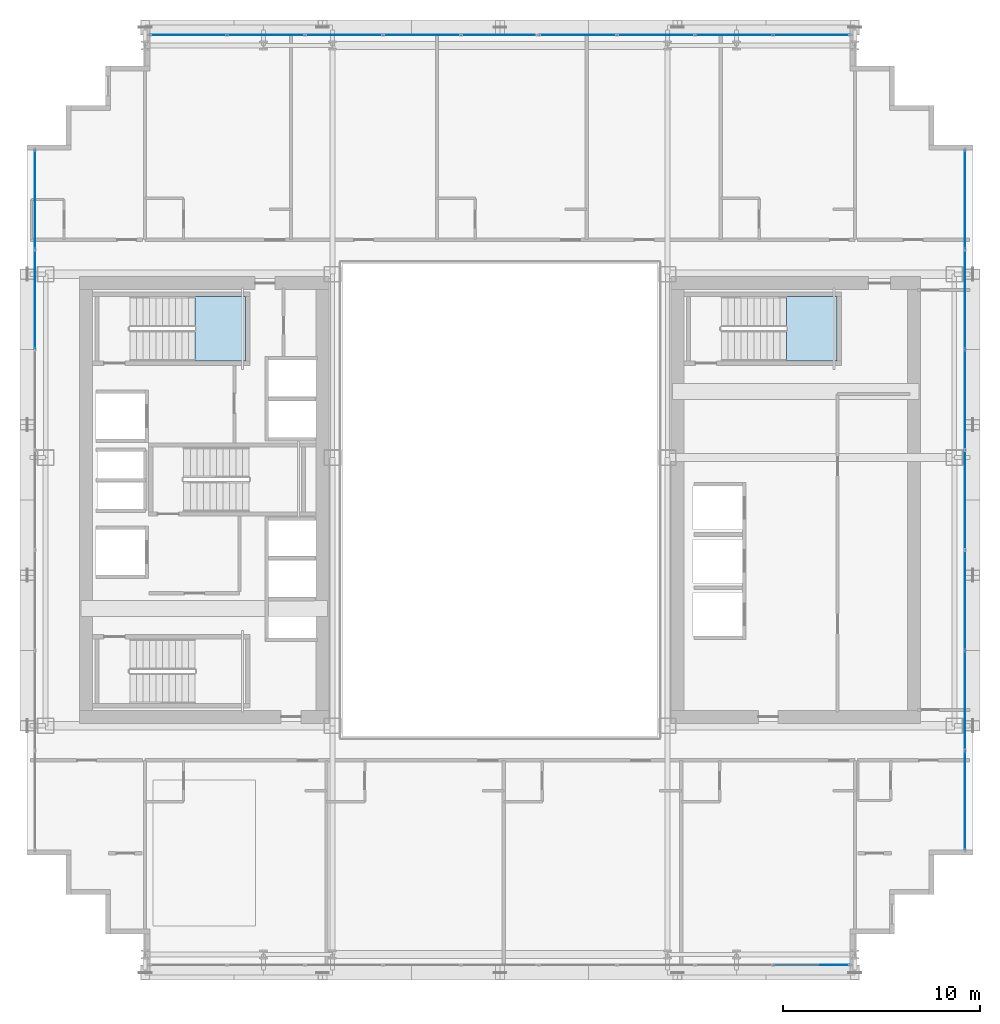
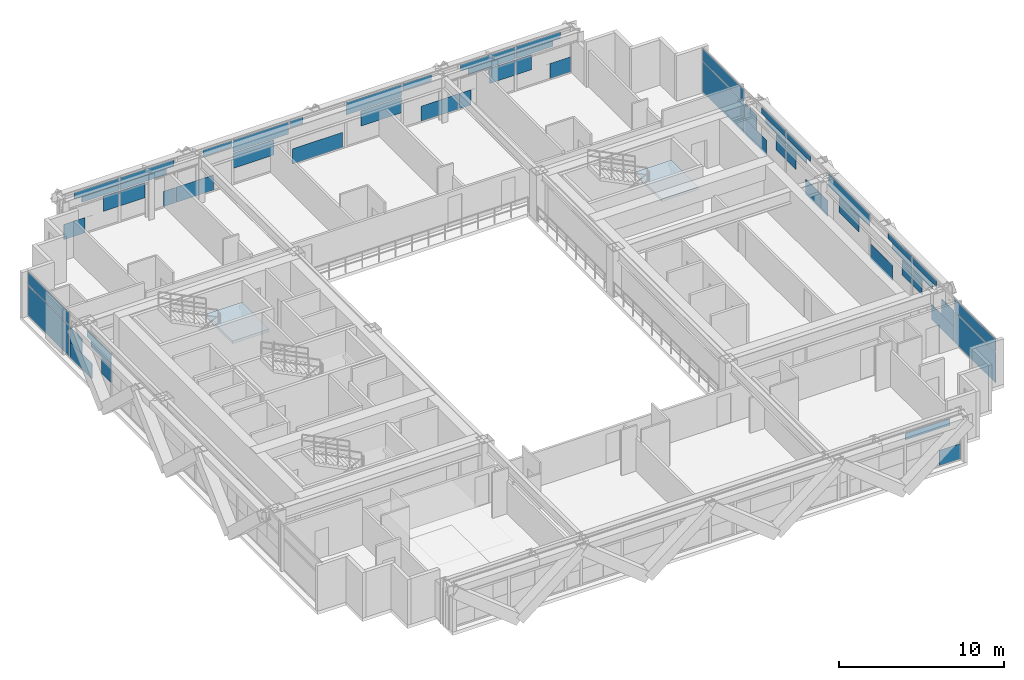
# One storey, part 24 of 34: 59 plates, 2 slabs, 6 elements without a shape of their own.
"""IFC4 building model written with IfcOpenShell, lengths in metres."""

from ifc_helpers import new_model, si_unit, direction, frame, origin, origin_2d, place, context, subcontext, project, spatial, polyline, rectangle, outline, extrude, source, transform, mapped, material, layer, layer_set, type_object, element, aggregate, save


model = new_model("IFC4")

# Units and contexts
model_context = context("Model", 3, precision=1e-05, world=origin(), true_north=direction((0.0, 1.0)))
body_context = subcontext(model_context, "Body", "Model", "MODEL_VIEW")
ifc_project = project(units=[si_unit("LENGTHUNIT", "METRE"), si_unit("AREAUNIT", "SQUARE_METRE"), si_unit("VOLUMEUNIT", "CUBIC_METRE"), si_unit("PLANEANGLEUNIT", "RADIAN"), si_unit("MASSUNIT", "GRAM", prefix="KILO")], contexts=[model_context])

# Site, building, storey
site_placement = place(None, origin())
site = spatial("IfcSite", under=ifc_project, at=site_placement, CompositionType="ELEMENT")
building_placement = place(site_placement, origin())
building = spatial("IfcBuilding", under=site, at=building_placement, Name="Ocotamira Hotel", CompositionType="ELEMENT")
storey_placement = place(building_placement, frame((0.0, 0.0, 108.0)))
storey = spatial("IfcBuildingStorey", under=building, at=storey_placement, Name="L26", CompositionType="ELEMENT", Elevation=108.0)

# Stair, slab
ifc_material_1 = material(Name="Concrete C40/50", Category="concrete")
stair_type = type_object("IfcStairType", Name="ST-CORE-1560", PredefinedType="HALF_TURN_STAIR", material=ifc_material_1)
stair_1_placement = place(storey_placement, origin())
stair_1 = element("IfcStair", 1, at=stair_1_placement, inside=storey, type_object=stair_type, Name="L26 Exit Stair ST-2", PredefinedType="HALF_TURN_STAIR")
ifc_layer_1 = layer(ifc_material_1, 0.199951171875)
ifc_layer_set_1 = layer_set([ifc_layer_1], Name="Concrete C40/50")
slab_type = type_object("IfcSlabType", Name="SLB-LAND-200", PredefinedType="LANDING", material=ifc_layer_set_1)
slab_1_placement = place(storey_placement, frame((0.0, 0.0, 1.60009765625)))
slab_1 = element("IfcSlab", 2, at=slab_1_placement, type_object=slab_type, Name="ST-2 landing 1", PredefinedType="LANDING", context=body_context, shape_type="SweptSolid", body=[
    extrude(outline(polyline([(16.530029296875, 33.050048828125), (19.090087890625, 33.050048828125), (19.090087890625, 36.330078125), (16.530029296875, 36.330078125), (16.530029296875, 33.050048828125)])), origin(), (0.0, 0.0, 1.0), 0.199951171875),
])
aggregate(stair_1, [slab_1])

stair_2_placement = place(storey_placement, origin())
stair_2 = element("IfcStair", 3, at=stair_2_placement, inside=storey, type_object=stair_type, Name="L26 Exit Stair ST-4", PredefinedType="HALF_TURN_STAIR")
slab_2_placement = place(storey_placement, frame((0.0, 0.0, 1.60009765625)))
slab_2 = element("IfcSlab", 4, at=slab_2_placement, type_object=slab_type, Name="ST-4 landing 1", PredefinedType="LANDING", context=body_context, shape_type="SweptSolid", body=[
    extrude(outline(polyline([(46.530029296875, 33.050048828125), (49.090087890625, 33.050048828125), (49.090087890625, 36.330078125), (46.530029296875, 36.330078125), (46.530029296875, 33.050048828125)])), origin(), (0.0, 0.0, 1.0), 0.199951171875),
])
aggregate(stair_2, [slab_2])

# Curtain wall, plate
ifc_material_2 = material(Name="Anodised pale-metal aluminium and solar glass", Category="aluminium")
ifc_layer_2 = layer(ifc_material_2, 0.179931640625)
ifc_layer_set_2 = layer_set([ifc_layer_2], Name="Anodised pale-metal aluminium and solar glass")
curtain_wall_type = type_object("IfcCurtainWallType", Name="CW-SYS3-Z2", PredefinedType="NOTDEFINED", material=ifc_layer_set_2)
curtain_wall_1_placement = place(storey_placement, origin())
curtain_wall_1 = element("IfcCurtainWall", 5, at=curtain_wall_1_placement, inside=storey, type_object=curtain_wall_type, Name="L26 Curtain Wall CW-3 CW-L26-W", PredefinedType="NOTDEFINED")
ifc_material_3 = material(Name="Double-silver low-E insulated solar glass", Category="glass")
ifc_layer_3 = layer(ifc_material_3, 0.031982421875)
ifc_layer_set_3 = layer_set([ifc_layer_3], Name="Double-silver low-E insulated solar glass")
plate_type = type_object("IfcPlateType", Name="CWP-VISION-32", PredefinedType="CURTAIN_PANEL", material=ifc_layer_set_3)
shared_shape_1 = source(origin(), body_context, "Body", "SweptSolid", [
    extrude(rectangle(XDim=4.9658203125, YDim=0.031982421875, at=origin_2d()), origin(), (0.0, 0.0, 1.0), 2.237548828125),
])
plate_1_placement = place(storey_placement, frame((8.419921875, 41.237060546875, 0.0751953125), z_axis=(0.0, 0.0, 1.0), x_axis=(0.0, 1.0, 0.0)))
plate_1 = element("IfcPlate", 6, at=plate_1_placement, type_object=plate_type, Name="CW-3 panel 7.1", PredefinedType="CURTAIN_PANEL", context=body_context, shape_type="MappedRepresentation", body=[
    mapped(shared_shape_1, transform((0.0, 0.0, 0.0), scale=1.0)),
])

# Curtain wall, plates
curtain_wall_2_placement = place(storey_placement, origin())
curtain_wall_2 = element("IfcCurtainWall", 7, at=curtain_wall_2_placement, inside=storey, type_object=curtain_wall_type, Name="L26 Curtain Wall CW-3 CW-L26-E", PredefinedType="NOTDEFINED")
plate_2_placement = place(storey_placement, frame((55.580078125, 10.762939453125, 0.0751953125), z_axis=(0.0, 0.0, 1.0), x_axis=(0.0, 1.0, 0.0)))
plate_2 = element("IfcPlate", 8, at=plate_2_placement, type_object=plate_type, Name="CW-3 panel 1.1", PredefinedType="CURTAIN_PANEL", context=body_context, shape_type="MappedRepresentation", body=[
    mapped(shared_shape_1, transform((0.0, 0.0, 0.0), scale=1.0)),
])
plate_3_placement = place(storey_placement, frame((55.580078125, 41.237060546875, 0.0751953125), z_axis=(0.0, 0.0, 1.0), x_axis=(0.0, 1.0, 0.0)))
plate_3 = element("IfcPlate", 9, at=plate_3_placement, type_object=plate_type, Name="CW-3 panel 7.1", PredefinedType="CURTAIN_PANEL", context=body_context, shape_type="MappedRepresentation", body=[
    mapped(shared_shape_1, transform((0.0, 0.0, 0.0), scale=1.0)),
])

curtain_wall_3_placement = place(storey_placement, origin())
curtain_wall_3 = element("IfcCurtainWall", 10, at=curtain_wall_3_placement, inside=storey, type_object=curtain_wall_type, Name="L26 Curtain Wall CW-3 CW-L26-N", PredefinedType="NOTDEFINED")
shared_shape_2 = source(origin(), body_context, "Body", "SweptSolid", [
    extrude(rectangle(XDim=3.87548828125, YDim=0.031982421875, at=origin_2d()), origin(), (0.0, 0.0, 1.0), 0.8974609375),
])
plate_4_placement = place(storey_placement, frame((28.04443359375, 49.580078125, 2.387451171875), z_axis=(0.0, 0.0, 1.0), x_axis=(1.0, 0.0, 0.0)))
plate_4 = element("IfcPlate", 11, at=plate_4_placement, type_object=plate_type, Name="CW-3 panel 4.2", PredefinedType="CURTAIN_PANEL", context=body_context, shape_type="MappedRepresentation", body=[
    mapped(shared_shape_2, transform((0.0, 0.0, 0.0), scale=1.0)),
])
plate_5_placement = place(storey_placement, frame((35.95556640625, 49.580078125, 2.387451171875), z_axis=(0.0, 0.0, 1.0), x_axis=(1.0, 0.0, 0.0)))
plate_5 = element("IfcPlate", 12, at=plate_5_placement, type_object=plate_type, Name="CW-3 panel 6.2", PredefinedType="CURTAIN_PANEL", context=body_context, shape_type="MappedRepresentation", body=[
    mapped(shared_shape_2, transform((0.0, 0.0, 0.0), scale=1.0)),
])

# Plate
shared_shape_3 = source(origin(), body_context, "Body", "SweptSolid", [
    extrude(rectangle(XDim=4.9658203125, YDim=0.031982421875, at=origin_2d()), origin(), (0.0, 0.0, 1.0), 0.8974609375),
])
plate_6_placement = place(storey_placement, frame((8.419921875, 41.237060546875, 2.387451171875), z_axis=(0.0, 0.0, 1.0), x_axis=(0.0, 1.0, 0.0)))
plate_6 = element("IfcPlate", 13, at=plate_6_placement, type_object=plate_type, Name="CW-3 panel 7.2", PredefinedType="CURTAIN_PANEL", context=body_context, shape_type="MappedRepresentation", body=[
    mapped(shared_shape_3, transform((0.0, 0.0, 0.0), scale=1.0)),
])

plate_7_placement = place(storey_placement, frame((55.580078125, 10.762939453125, 2.387451171875), z_axis=(0.0, 0.0, 1.0), x_axis=(0.0, 1.0, 0.0)))
plate_7 = element("IfcPlate", 14, at=plate_7_placement, type_object=plate_type, Name="CW-3 panel 1.2", PredefinedType="CURTAIN_PANEL", context=body_context, shape_type="MappedRepresentation", body=[
    mapped(shared_shape_3, transform((0.0, 0.0, 0.0), scale=1.0)),
])

plate_8_placement = place(storey_placement, frame((55.580078125, 41.237060546875, 2.387451171875), z_axis=(0.0, 0.0, 1.0), x_axis=(0.0, 1.0, 0.0)))
plate_8 = element("IfcPlate", 15, at=plate_8_placement, type_object=plate_type, Name="CW-3 panel 7.2", PredefinedType="CURTAIN_PANEL", context=body_context, shape_type="MappedRepresentation", body=[
    mapped(shared_shape_3, transform((0.0, 0.0, 0.0), scale=1.0)),
])

shared_shape_4 = source(origin(), body_context, "Body", "SweptSolid", [
    extrude(rectangle(XDim=2.404296875, YDim=0.031982421875, at=origin_2d()), origin(), (0.0, 0.0, 1.0), 1.118896484375),
])
plate_9_placement = place(storey_placement, frame((55.580078125, 26.0, 1.19384765625), z_axis=(0.0, 0.0, 1.0), x_axis=(0.0, 1.0, 0.0)))
plate_9 = element("IfcPlate", 16, at=plate_9_placement, type_object=plate_type, Name="CW-3 panel 4.1.1", PredefinedType="CURTAIN_PANEL", context=body_context, shape_type="MappedRepresentation", body=[
    mapped(shared_shape_4, transform((0.0, 0.0, 0.0), scale=1.0)),
])

# Curtain wall, plate
curtain_wall_4_placement = place(storey_placement, origin())
curtain_wall_4 = element("IfcCurtainWall", 17, at=curtain_wall_4_placement, inside=storey, type_object=curtain_wall_type, Name="L26 Curtain Wall CW-3 CW-L26-S1", PredefinedType="NOTDEFINED")
shared_shape_5 = source(origin(), body_context, "Body", "SweptSolid", [
    extrude(rectangle(XDim=3.104248046875, YDim=0.031982421875, at=origin_2d()), origin(), (0.0, 0.0, 1.0), 0.4716796875),
])
plate_10_placement = place(storey_placement, frame((47.4365234375, 2.419921875, 2.813232421875), z_axis=(0.0, 0.0, 1.0), x_axis=(1.0, 0.0, 0.0)))
plate_10 = element("IfcPlate", 18, at=plate_10_placement, type_object=plate_type, Name="CW-3 panel 9.2.2", PredefinedType="CURTAIN_PANEL", context=body_context, shape_type="MappedRepresentation", body=[
    mapped(shared_shape_5, transform((0.0, 0.0, 0.0), scale=1.0)),
])

# Plate
plate_11_placement = place(storey_placement, frame((16.5634765625, 49.580078125, 2.813232421875), z_axis=(0.0, 0.0, 1.0), x_axis=(1.0, 0.0, 0.0)))
plate_11 = element("IfcPlate", 19, at=plate_11_placement, type_object=plate_type, Name="CW-3 panel 1.2.1", PredefinedType="CURTAIN_PANEL", context=body_context, shape_type="MappedRepresentation", body=[
    mapped(shared_shape_5, transform((0.0, 0.0, 0.0), scale=1.0)),
])

plate_12_placement = place(storey_placement, frame((47.4365234375, 49.580078125, 2.813232421875), z_axis=(0.0, 0.0, 1.0), x_axis=(1.0, 0.0, 0.0)))
plate_12 = element("IfcPlate", 20, at=plate_12_placement, type_object=plate_type, Name="CW-3 panel 9.2.2", PredefinedType="CURTAIN_PANEL", context=body_context, shape_type="MappedRepresentation", body=[
    mapped(shared_shape_5, transform((0.0, 0.0, 0.0), scale=1.0)),
])

shared_shape_6 = source(origin(), body_context, "Body", "SweptSolid", [
    extrude(rectangle(XDim=2.572021484375, YDim=0.031982421875, at=origin_2d()), origin(), (0.0, 0.0, 1.0), 0.39453125),
])
plate_13_placement = place(storey_placement, frame((16.82958984375, 49.580078125, 2.387451171875), z_axis=(0.0, 0.0, 1.0), x_axis=(1.0, 0.0, 0.0)))
plate_13 = element("IfcPlate", 21, at=plate_13_placement, type_object=plate_type, Name="CW-3 panel 1.2.2", PredefinedType="CURTAIN_PANEL", context=body_context, shape_type="MappedRepresentation", body=[
    mapped(shared_shape_6, transform((0.0, 0.0, 0.0), scale=1.0)),
])

plate_14_placement = place(storey_placement, frame((47.17041015625, 49.580078125, 2.387451171875), z_axis=(0.0, 0.0, 1.0), x_axis=(1.0, 0.0, 0.0)))
plate_14 = element("IfcPlate", 22, at=plate_14_placement, type_object=plate_type, Name="CW-3 panel 9.2.1", PredefinedType="CURTAIN_PANEL", context=body_context, shape_type="MappedRepresentation", body=[
    mapped(shared_shape_6, transform((0.0, 0.0, 0.0), scale=1.0)),
])

shared_shape_7 = source(origin(), body_context, "Body", "SweptSolid", [
    extrude(rectangle(XDim=3.260986328125, YDim=0.031982421875, at=origin_2d()), origin(), (0.0, 0.0, 1.0), 0.42578125),
])
plate_15_placement = place(storey_placement, frame((19.826171875, 49.580078125, 2.387451171875), z_axis=(0.0, 0.0, 1.0), x_axis=(1.0, 0.0, 0.0)))
plate_15 = element("IfcPlate", 23, at=plate_15_placement, type_object=plate_type, Name="CW-3 panel 2.2.1", PredefinedType="CURTAIN_PANEL", context=body_context, shape_type="MappedRepresentation", body=[
    mapped(shared_shape_7, transform((0.0, 0.0, 0.0), scale=1.0)),
])

plate_16_placement = place(storey_placement, frame((44.173828125, 49.580078125, 2.387451171875), z_axis=(0.0, 0.0, 1.0), x_axis=(1.0, 0.0, 0.0)))
plate_16 = element("IfcPlate", 24, at=plate_16_placement, type_object=plate_type, Name="CW-3 panel 8.2.2", PredefinedType="CURTAIN_PANEL", context=body_context, shape_type="MappedRepresentation", body=[
    mapped(shared_shape_7, transform((0.0, 0.0, 0.0), scale=1.0)),
])

shared_shape_8 = source(origin(), body_context, "Body", "SweptSolid", [
    extrude(rectangle(XDim=3.793212890625, YDim=0.031982421875, at=origin_2d()), origin(), (0.0, 0.0, 1.0), 0.4716796875),
])
plate_17_placement = place(storey_placement, frame((20.09228515625, 49.580078125, 2.813232421875), z_axis=(0.0, 0.0, 1.0), x_axis=(1.0, 0.0, 0.0)))
plate_17 = element("IfcPlate", 25, at=plate_17_placement, type_object=plate_type, Name="CW-3 panel 2.2.2", PredefinedType="CURTAIN_PANEL", context=body_context, shape_type="MappedRepresentation", body=[
    mapped(shared_shape_8, transform((0.0, 0.0, 0.0), scale=1.0)),
])

plate_18_placement = place(storey_placement, frame((43.90771484375, 49.580078125, 2.813232421875), z_axis=(0.0, 0.0, 1.0), x_axis=(1.0, 0.0, 0.0)))
plate_18 = element("IfcPlate", 26, at=plate_18_placement, type_object=plate_type, Name="CW-3 panel 8.2.1", PredefinedType="CURTAIN_PANEL", context=body_context, shape_type="MappedRepresentation", body=[
    mapped(shared_shape_8, transform((0.0, 0.0, 0.0), scale=1.0)),
])

shared_shape_9 = source(origin(), body_context, "Body", "SweptSolid", [
    extrude(rectangle(XDim=2.015380859375, YDim=0.031982421875, at=origin_2d()), origin(), (0.0, 0.0, 1.0), 0.4716796875),
])
plate_19_placement = place(storey_placement, frame((25.018798828125, 49.580078125, 2.813232421875), z_axis=(0.0, 0.0, 1.0), x_axis=(1.0, 0.0, 0.0)))
plate_19 = element("IfcPlate", 27, at=plate_19_placement, type_object=plate_type, Name="CW-3 panel 3.2.1", PredefinedType="CURTAIN_PANEL", context=body_context, shape_type="MappedRepresentation", body=[
    mapped(shared_shape_9, transform((0.0, 0.0, 0.0), scale=1.0)),
])

plate_20_placement = place(storey_placement, frame((38.981201171875, 49.580078125, 2.813232421875), z_axis=(0.0, 0.0, 1.0), x_axis=(1.0, 0.0, 0.0)))
plate_20 = element("IfcPlate", 28, at=plate_20_placement, type_object=plate_type, Name="CW-3 panel 7.2.1", PredefinedType="CURTAIN_PANEL", context=body_context, shape_type="MappedRepresentation", body=[
    mapped(shared_shape_9, transform((0.0, 0.0, 0.0), scale=1.0)),
])

shared_shape_10 = source(origin(), body_context, "Body", "SweptSolid", [
    extrude(rectangle(XDim=0.926513671875, YDim=0.031982421875, at=origin_2d()), origin(), (0.0, 0.0, 1.0), 0.4716796875),
])
plate_21_placement = place(storey_placement, frame((30.525390625, 49.580078125, 2.813232421875), z_axis=(0.0, 0.0, 1.0), x_axis=(1.0, 0.0, 0.0)))
plate_21 = element("IfcPlate", 29, at=plate_21_placement, type_object=plate_type, Name="CW-3 panel 5.2.1", PredefinedType="CURTAIN_PANEL", context=body_context, shape_type="MappedRepresentation", body=[
    mapped(shared_shape_10, transform((0.0, 0.0, 0.0), scale=1.0)),
])

shared_shape_11 = source(origin(), body_context, "Body", "SweptSolid", [
    extrude(rectangle(XDim=2.908203125, YDim=0.031982421875, at=origin_2d()), origin(), (0.0, 0.0, 1.0), 0.44873046875),
])
plate_22_placement = place(storey_placement, frame((8.419921875, 35.122802734375, 2.836181640625), z_axis=(0.0, 0.0, 1.0), x_axis=(0.0, 1.0, 0.0)))
plate_22 = element("IfcPlate", 30, at=plate_22_placement, type_object=plate_type, Name="CW-3 panel 6.2.2", PredefinedType="CURTAIN_PANEL", context=body_context, shape_type="MappedRepresentation", body=[
    mapped(shared_shape_11, transform((0.0, 0.0, 0.0), scale=1.0)),
])

plate_23_placement = place(storey_placement, frame((55.580078125, 16.877197265625, 2.836181640625), z_axis=(0.0, 0.0, 1.0), x_axis=(0.0, 1.0, 0.0)))
plate_23 = element("IfcPlate", 31, at=plate_23_placement, type_object=plate_type, Name="CW-3 panel 2.2.1", PredefinedType="CURTAIN_PANEL", context=body_context, shape_type="MappedRepresentation", body=[
    mapped(shared_shape_11, transform((0.0, 0.0, 0.0), scale=1.0)),
])

plate_24_placement = place(storey_placement, frame((55.580078125, 35.122802734375, 2.836181640625), z_axis=(0.0, 0.0, 1.0), x_axis=(0.0, 1.0, 0.0)))
plate_24 = element("IfcPlate", 32, at=plate_24_placement, type_object=plate_type, Name="CW-3 panel 6.2.2", PredefinedType="CURTAIN_PANEL", context=body_context, shape_type="MappedRepresentation", body=[
    mapped(shared_shape_11, transform((0.0, 0.0, 0.0), scale=1.0)),
])

shared_shape_12 = source(origin(), body_context, "Body", "SweptSolid", [
    extrude(rectangle(XDim=2.4326171875, YDim=0.031982421875, at=origin_2d()), origin(), (0.0, 0.0, 1.0), 0.414306640625),
])
plate_25_placement = place(storey_placement, frame((8.419921875, 34.884765625, 2.3876953125), z_axis=(0.0, 0.0, 1.0), x_axis=(0.0, 1.0, 0.0)))
plate_25 = element("IfcPlate", 33, at=plate_25_placement, type_object=plate_type, Name="CW-3 panel 6.2.1", PredefinedType="CURTAIN_PANEL", context=body_context, shape_type="MappedRepresentation", body=[
    mapped(shared_shape_12, transform((0.0, 0.0, 0.0), scale=1.0)),
])

plate_26_placement = place(storey_placement, frame((55.580078125, 17.115234375, 2.3876953125), z_axis=(0.0, 0.0, 1.0), x_axis=(0.0, 1.0, 0.0)))
plate_26 = element("IfcPlate", 34, at=plate_26_placement, type_object=plate_type, Name="CW-3 panel 2.2.2", PredefinedType="CURTAIN_PANEL", context=body_context, shape_type="MappedRepresentation", body=[
    mapped(shared_shape_12, transform((0.0, 0.0, 0.0), scale=1.0)),
])

plate_27_placement = place(storey_placement, frame((55.580078125, 34.884765625, 2.3876953125), z_axis=(0.0, 0.0, 1.0), x_axis=(0.0, 1.0, 0.0)))
plate_27 = element("IfcPlate", 35, at=plate_27_placement, type_object=plate_type, Name="CW-3 panel 6.2.1", PredefinedType="CURTAIN_PANEL", context=body_context, shape_type="MappedRepresentation", body=[
    mapped(shared_shape_12, transform((0.0, 0.0, 0.0), scale=1.0)),
])

shared_shape_13 = source(origin(), body_context, "Body", "SweptSolid", [
    extrude(rectangle(XDim=2.4228515625, YDim=0.031982421875, at=origin_2d()), origin(), (0.0, 0.0, 1.0), 0.414306640625),
])
plate_28_placement = place(storey_placement, frame((55.580078125, 19.622802734375, 2.3876953125), z_axis=(0.0, 0.0, 1.0), x_axis=(0.0, 1.0, 0.0)))
plate_28 = element("IfcPlate", 36, at=plate_28_placement, type_object=plate_type, Name="CW-3 panel 3.2.1", PredefinedType="CURTAIN_PANEL", context=body_context, shape_type="MappedRepresentation", body=[
    mapped(shared_shape_13, transform((0.0, 0.0, 0.0), scale=1.0)),
])

plate_29_placement = place(storey_placement, frame((55.580078125, 32.377197265625, 2.3876953125), z_axis=(0.0, 0.0, 1.0), x_axis=(0.0, 1.0, 0.0)))
plate_29 = element("IfcPlate", 37, at=plate_29_placement, type_object=plate_type, Name="CW-3 panel 5.2.2", PredefinedType="CURTAIN_PANEL", context=body_context, shape_type="MappedRepresentation", body=[
    mapped(shared_shape_13, transform((0.0, 0.0, 0.0), scale=1.0)),
])

shared_shape_14 = source(origin(), body_context, "Body", "SweptSolid", [
    extrude(rectangle(XDim=2.898681640625, YDim=0.031982421875, at=origin_2d()), origin(), (0.0, 0.0, 1.0), 0.44873046875),
])
plate_30_placement = place(storey_placement, frame((55.580078125, 19.860595703125, 2.836181640625), z_axis=(0.0, 0.0, 1.0), x_axis=(0.0, 1.0, 0.0)))
plate_30 = element("IfcPlate", 38, at=plate_30_placement, type_object=plate_type, Name="CW-3 panel 3.2.2", PredefinedType="CURTAIN_PANEL", context=body_context, shape_type="MappedRepresentation", body=[
    mapped(shared_shape_14, transform((0.0, 0.0, 0.0), scale=1.0)),
])

plate_31_placement = place(storey_placement, frame((55.580078125, 32.139404296875, 2.836181640625), z_axis=(0.0, 0.0, 1.0), x_axis=(0.0, 1.0, 0.0)))
plate_31 = element("IfcPlate", 39, at=plate_31_placement, type_object=plate_type, Name="CW-3 panel 5.2.1", PredefinedType="CURTAIN_PANEL", context=body_context, shape_type="MappedRepresentation", body=[
    mapped(shared_shape_14, transform((0.0, 0.0, 0.0), scale=1.0)),
])

shared_shape_15 = source(origin(), body_context, "Body", "SweptSolid", [
    extrude(rectangle(XDim=5.005615234375, YDim=0.031982421875, at=origin_2d()), origin(), (0.0, 0.0, 1.0), 0.8974609375),
])
plate_32_placement = place(storey_placement, frame((55.580078125, 26.0, 2.387451171875), z_axis=(0.0, 0.0, 1.0), x_axis=(0.0, 1.0, 0.0)))
plate_32 = element("IfcPlate", 40, at=plate_32_placement, type_object=plate_type, Name="CW-3 panel 4.2", PredefinedType="CURTAIN_PANEL", context=body_context, shape_type="MappedRepresentation", body=[
    mapped(shared_shape_15, transform((0.0, 0.0, 0.0), scale=1.0)),
])

shared_shape_16 = source(origin(), body_context, "Body", "SweptSolid", [
    extrude(rectangle(XDim=1.47509765625, YDim=0.031982421875, at=origin_2d()), origin(), (0.0, 0.0, 1.0), 1.11865234375),
])
plate_33_placement = place(storey_placement, frame((48.982421875, 2.419921875, 0.0751953125), z_axis=(0.0, 0.0, 1.0), x_axis=(1.0, 0.0, 0.0)))
plate_33 = element("IfcPlate", 41, at=plate_33_placement, type_object=plate_type, Name="CW-3 panel 9.1.2", PredefinedType="CURTAIN_PANEL", context=body_context, shape_type="MappedRepresentation", body=[
    mapped(shared_shape_16, transform((0.0, 0.0, 0.0), scale=1.0)),
])

aggregate(curtain_wall_4, [plate_33, plate_10])

plate_34_placement = place(storey_placement, frame((15.017578125, 49.580078125, 0.0751953125), z_axis=(0.0, 0.0, 1.0), x_axis=(1.0, 0.0, 0.0)))
plate_34 = element("IfcPlate", 42, at=plate_34_placement, type_object=plate_type, Name="CW-3 panel 1.1.1", PredefinedType="CURTAIN_PANEL", context=body_context, shape_type="MappedRepresentation", body=[
    mapped(shared_shape_16, transform((0.0, 0.0, 0.0), scale=1.0)),
])

plate_35_placement = place(storey_placement, frame((48.982421875, 49.580078125, 0.0751953125), z_axis=(0.0, 0.0, 1.0), x_axis=(1.0, 0.0, 0.0)))
plate_35 = element("IfcPlate", 43, at=plate_35_placement, type_object=plate_type, Name="CW-3 panel 9.1.2", PredefinedType="CURTAIN_PANEL", context=body_context, shape_type="MappedRepresentation", body=[
    mapped(shared_shape_16, transform((0.0, 0.0, 0.0), scale=1.0)),
])

shared_shape_17 = source(origin(), body_context, "Body", "SweptSolid", [
    extrude(rectangle(XDim=1.079833984375, YDim=0.031982421875, at=origin_2d()), origin(), (0.0, 0.0, 1.0), 1.118896484375),
])
plate_36_placement = place(storey_placement, frame((17.57568359375, 49.580078125, 1.19384765625), z_axis=(0.0, 0.0, 1.0), x_axis=(1.0, 0.0, 0.0)))
plate_36 = element("IfcPlate", 44, at=plate_36_placement, type_object=plate_type, Name="CW-3 panel 1.1.2", PredefinedType="CURTAIN_PANEL", context=body_context, shape_type="MappedRepresentation", body=[
    mapped(shared_shape_17, transform((0.0, 0.0, 0.0), scale=1.0)),
])

plate_37_placement = place(storey_placement, frame((46.42431640625, 49.580078125, 1.19384765625), z_axis=(0.0, 0.0, 1.0), x_axis=(1.0, 0.0, 0.0)))
plate_37 = element("IfcPlate", 45, at=plate_37_placement, type_object=plate_type, Name="CW-3 panel 9.1.1", PredefinedType="CURTAIN_PANEL", context=body_context, shape_type="MappedRepresentation", body=[
    mapped(shared_shape_17, transform((0.0, 0.0, 0.0), scale=1.0)),
])

shared_shape_18 = source(origin(), body_context, "Body", "SweptSolid", [
    extrude(rectangle(XDim=1.768798828125, YDim=0.031982421875, at=origin_2d()), origin(), (0.0, 0.0, 1.0), 1.118896484375),
])
plate_38_placement = place(storey_placement, frame((19.080078125, 49.580078125, 1.19384765625), z_axis=(0.0, 0.0, 1.0), x_axis=(1.0, 0.0, 0.0)))
plate_38 = element("IfcPlate", 46, at=plate_38_placement, type_object=plate_type, Name="CW-3 panel 2.1.1", PredefinedType="CURTAIN_PANEL", context=body_context, shape_type="MappedRepresentation", body=[
    mapped(shared_shape_18, transform((0.0, 0.0, 0.0), scale=1.0)),
])

plate_39_placement = place(storey_placement, frame((44.919921875, 49.580078125, 1.19384765625), z_axis=(0.0, 0.0, 1.0), x_axis=(1.0, 0.0, 0.0)))
plate_39 = element("IfcPlate", 47, at=plate_39_placement, type_object=plate_type, Name="CW-3 panel 8.1.2", PredefinedType="CURTAIN_PANEL", context=body_context, shape_type="MappedRepresentation", body=[
    mapped(shared_shape_18, transform((0.0, 0.0, 0.0), scale=1.0)),
])

shared_shape_19 = source(origin(), body_context, "Body", "SweptSolid", [
    extrude(rectangle(XDim=0.826171875, YDim=0.031982421875, at=origin_2d()), origin(), (0.0, 0.0, 1.0), 1.11865234375),
])
plate_40_placement = place(storey_placement, frame((21.658203125, 49.580078125, 0.0751953125), z_axis=(0.0, 0.0, 1.0), x_axis=(1.0, 0.0, 0.0)))
plate_40 = element("IfcPlate", 48, at=plate_40_placement, type_object=plate_type, Name="CW-3 panel 2.1.2", PredefinedType="CURTAIN_PANEL", context=body_context, shape_type="MappedRepresentation", body=[
    mapped(shared_shape_19, transform((0.0, 0.0, 0.0), scale=1.0)),
])

plate_41_placement = place(storey_placement, frame((42.341796875, 49.580078125, 0.0751953125), z_axis=(0.0, 0.0, 1.0), x_axis=(1.0, 0.0, 0.0)))
plate_41 = element("IfcPlate", 49, at=plate_41_placement, type_object=plate_type, Name="CW-3 panel 8.1.1", PredefinedType="CURTAIN_PANEL", context=body_context, shape_type="MappedRepresentation", body=[
    mapped(shared_shape_19, transform((0.0, 0.0, 0.0), scale=1.0)),
])

shared_shape_20 = source(origin(), body_context, "Body", "SweptSolid", [
    extrude(rectangle(XDim=2.60400390625, YDim=0.031982421875, at=origin_2d()), origin(), (0.0, 0.0, 1.0), 1.11865234375),
])
plate_42_placement = place(storey_placement, frame((23.453125, 49.580078125, 0.0751953125), z_axis=(0.0, 0.0, 1.0), x_axis=(1.0, 0.0, 0.0)))
plate_42 = element("IfcPlate", 50, at=plate_42_placement, type_object=plate_type, Name="CW-3 panel 3.1.1", PredefinedType="CURTAIN_PANEL", context=body_context, shape_type="MappedRepresentation", body=[
    mapped(shared_shape_20, transform((0.0, 0.0, 0.0), scale=1.0)),
])

plate_43_placement = place(storey_placement, frame((40.546875, 49.580078125, 0.0751953125), z_axis=(0.0, 0.0, 1.0), x_axis=(1.0, 0.0, 0.0)))
plate_43 = element("IfcPlate", 51, at=plate_43_placement, type_object=plate_type, Name="CW-3 panel 7.1.1", PredefinedType="CURTAIN_PANEL", context=body_context, shape_type="MappedRepresentation", body=[
    mapped(shared_shape_20, transform((0.0, 0.0, 0.0), scale=1.0)),
])

shared_shape_21 = source(origin(), body_context, "Body", "SweptSolid", [
    extrude(rectangle(XDim=2.857666015625, YDim=0.031982421875, at=origin_2d()), origin(), (0.0, 0.0, 1.0), 1.118896484375),
])
plate_44_placement = place(storey_placement, frame((27.535400390625, 49.580078125, 1.19384765625), z_axis=(0.0, 0.0, 1.0), x_axis=(1.0, 0.0, 0.0)))
plate_44 = element("IfcPlate", 52, at=plate_44_placement, type_object=plate_type, Name="CW-3 panel 4.1.1", PredefinedType="CURTAIN_PANEL", context=body_context, shape_type="MappedRepresentation", body=[
    mapped(shared_shape_21, transform((0.0, 0.0, 0.0), scale=1.0)),
])

plate_45_placement = place(storey_placement, frame((36.464599609375, 49.580078125, 1.19384765625), z_axis=(0.0, 0.0, 1.0), x_axis=(1.0, 0.0, 0.0)))
plate_45 = element("IfcPlate", 53, at=plate_45_placement, type_object=plate_type, Name="CW-3 panel 6.1.1", PredefinedType="CURTAIN_PANEL", context=body_context, shape_type="MappedRepresentation", body=[
    mapped(shared_shape_21, transform((0.0, 0.0, 0.0), scale=1.0)),
])

shared_shape_22 = source(origin(), body_context, "Body", "SweptSolid", [
    extrude(rectangle(XDim=3.510009765625, YDim=0.031982421875, at=origin_2d()), origin(), (0.0, 0.0, 1.0), 1.11865234375),
])
plate_46_placement = place(storey_placement, frame((32.0, 49.580078125, 0.0751953125), z_axis=(0.0, 0.0, 1.0), x_axis=(1.0, 0.0, 0.0)))
plate_46 = element("IfcPlate", 54, at=plate_46_placement, type_object=plate_type, Name="CW-3 panel 5.1.1", PredefinedType="CURTAIN_PANEL", context=body_context, shape_type="MappedRepresentation", body=[
    mapped(shared_shape_22, transform((0.0, 0.0, 0.0), scale=1.0)),
])

aggregate(curtain_wall_3, [plate_34, plate_36, plate_11, plate_13, plate_38, plate_40, plate_15, plate_17, plate_42, plate_19, plate_44, plate_4, plate_46, plate_21, plate_45, plate_5, plate_43, plate_20, plate_41, plate_39, plate_18, plate_16, plate_37, plate_35, plate_14, plate_12])

shared_shape_23 = source(origin(), body_context, "Body", "SweptSolid", [
    extrude(rectangle(XDim=2.6728515625, YDim=0.031982421875, at=origin_2d()), origin(), (0.0, 0.0, 1.0), 1.11865234375),
])
plate_47_placement = place(storey_placement, frame((8.419921875, 37.337890625, 0.0751953125), z_axis=(0.0, 0.0, 1.0), x_axis=(0.0, 1.0, 0.0)))
plate_47 = element("IfcPlate", 55, at=plate_47_placement, type_object=plate_type, Name="CW-3 panel 6.1.2", PredefinedType="CURTAIN_PANEL", context=body_context, shape_type="MappedRepresentation", body=[
    mapped(shared_shape_23, transform((0.0, 0.0, 0.0), scale=1.0)),
])

plate_48_placement = place(storey_placement, frame((55.580078125, 14.662109375, 0.0751953125), z_axis=(0.0, 0.0, 1.0), x_axis=(0.0, 1.0, 0.0)))
plate_48 = element("IfcPlate", 56, at=plate_48_placement, type_object=plate_type, Name="CW-3 panel 2.1.1", PredefinedType="CURTAIN_PANEL", context=body_context, shape_type="MappedRepresentation", body=[
    mapped(shared_shape_23, transform((0.0, 0.0, 0.0), scale=1.0)),
])

plate_49_placement = place(storey_placement, frame((55.580078125, 37.337890625, 0.0751953125), z_axis=(0.0, 0.0, 1.0), x_axis=(0.0, 1.0, 0.0)))
plate_49 = element("IfcPlate", 57, at=plate_49_placement, type_object=plate_type, Name="CW-3 panel 6.1.2", PredefinedType="CURTAIN_PANEL", context=body_context, shape_type="MappedRepresentation", body=[
    mapped(shared_shape_23, transform((0.0, 0.0, 0.0), scale=1.0)),
])

shared_shape_24 = source(origin(), body_context, "Body", "SweptSolid", [
    extrude(rectangle(XDim=1.48681640625, YDim=0.031982421875, at=origin_2d()), origin(), (0.0, 0.0, 1.0), 1.118896484375),
])
plate_50_placement = place(storey_placement, frame((8.419921875, 37.930908203125, 1.19384765625), z_axis=(0.0, 0.0, 1.0), x_axis=(0.0, 1.0, 0.0)))
plate_50 = element("IfcPlate", 58, at=plate_50_placement, type_object=plate_type, Name="CW-3 panel 6.1.3", PredefinedType="CURTAIN_PANEL", context=body_context, shape_type="MappedRepresentation", body=[
    mapped(shared_shape_24, transform((0.0, 0.0, 0.0), scale=1.0)),
])

plate_51_placement = place(storey_placement, frame((55.580078125, 14.069091796875, 1.19384765625), z_axis=(0.0, 0.0, 1.0), x_axis=(0.0, 1.0, 0.0)))
plate_51 = element("IfcPlate", 59, at=plate_51_placement, type_object=plate_type, Name="CW-3 panel 2.1.2", PredefinedType="CURTAIN_PANEL", context=body_context, shape_type="MappedRepresentation", body=[
    mapped(shared_shape_24, transform((0.0, 0.0, 0.0), scale=1.0)),
])

plate_52_placement = place(storey_placement, frame((55.580078125, 37.930908203125, 1.19384765625), z_axis=(0.0, 0.0, 1.0), x_axis=(0.0, 1.0, 0.0)))
plate_52 = element("IfcPlate", 60, at=plate_52_placement, type_object=plate_type, Name="CW-3 panel 6.1.3", PredefinedType="CURTAIN_PANEL", context=body_context, shape_type="MappedRepresentation", body=[
    mapped(shared_shape_24, transform((0.0, 0.0, 0.0), scale=1.0)),
])

shared_shape_25 = source(origin(), body_context, "Body", "SweptSolid", [
    extrude(rectangle(XDim=1.1669921875, YDim=0.031982421875, at=origin_2d()), origin(), (0.0, 0.0, 1.0), 1.118896484375),
])
plate_53_placement = place(storey_placement, frame((8.419921875, 34.251953125, 1.19384765625), z_axis=(0.0, 0.0, 1.0), x_axis=(0.0, 1.0, 0.0)))
plate_53 = element("IfcPlate", 61, at=plate_53_placement, type_object=plate_type, Name="CW-3 panel 6.1.1", PredefinedType="CURTAIN_PANEL", context=body_context, shape_type="MappedRepresentation", body=[
    mapped(shared_shape_25, transform((0.0, 0.0, 0.0), scale=1.0)),
])

aggregate(curtain_wall_1, [plate_53, plate_47, plate_50, plate_25, plate_22, plate_1, plate_6])

plate_54_placement = place(storey_placement, frame((55.580078125, 17.748046875, 1.19384765625), z_axis=(0.0, 0.0, 1.0), x_axis=(0.0, 1.0, 0.0)))
plate_54 = element("IfcPlate", 62, at=plate_54_placement, type_object=plate_type, Name="CW-3 panel 2.1.3", PredefinedType="CURTAIN_PANEL", context=body_context, shape_type="MappedRepresentation", body=[
    mapped(shared_shape_25, transform((0.0, 0.0, 0.0), scale=1.0)),
])

plate_55_placement = place(storey_placement, frame((55.580078125, 34.251953125, 1.19384765625), z_axis=(0.0, 0.0, 1.0), x_axis=(0.0, 1.0, 0.0)))
plate_55 = element("IfcPlate", 63, at=plate_55_placement, type_object=plate_type, Name="CW-3 panel 6.1.1", PredefinedType="CURTAIN_PANEL", context=body_context, shape_type="MappedRepresentation", body=[
    mapped(shared_shape_25, transform((0.0, 0.0, 0.0), scale=1.0)),
])

shared_shape_26 = source(origin(), body_context, "Body", "SweptSolid", [
    extrude(rectangle(XDim=1.1572265625, YDim=0.031982421875, at=origin_2d()), origin(), (0.0, 0.0, 1.0), 1.118896484375),
])
plate_56_placement = place(storey_placement, frame((55.580078125, 18.989990234375, 1.19384765625), z_axis=(0.0, 0.0, 1.0), x_axis=(0.0, 1.0, 0.0)))
plate_56 = element("IfcPlate", 64, at=plate_56_placement, type_object=plate_type, Name="CW-3 panel 3.1.1", PredefinedType="CURTAIN_PANEL", context=body_context, shape_type="MappedRepresentation", body=[
    mapped(shared_shape_26, transform((0.0, 0.0, 0.0), scale=1.0)),
])

plate_57_placement = place(storey_placement, frame((55.580078125, 33.010009765625, 1.19384765625), z_axis=(0.0, 0.0, 1.0), x_axis=(0.0, 1.0, 0.0)))
plate_57 = element("IfcPlate", 65, at=plate_57_placement, type_object=plate_type, Name="CW-3 panel 5.1.2", PredefinedType="CURTAIN_PANEL", context=body_context, shape_type="MappedRepresentation", body=[
    mapped(shared_shape_26, transform((0.0, 0.0, 0.0), scale=1.0)),
])

shared_shape_27 = source(origin(), body_context, "Body", "SweptSolid", [
    extrude(rectangle(XDim=2.6826171875, YDim=0.031982421875, at=origin_2d()), origin(), (0.0, 0.0, 1.0), 1.11865234375),
])
plate_58_placement = place(storey_placement, frame((55.580078125, 22.075927734375, 0.0751953125), z_axis=(0.0, 0.0, 1.0), x_axis=(0.0, 1.0, 0.0)))
plate_58 = element("IfcPlate", 66, at=plate_58_placement, type_object=plate_type, Name="CW-3 panel 3.1.2", PredefinedType="CURTAIN_PANEL", context=body_context, shape_type="MappedRepresentation", body=[
    mapped(shared_shape_27, transform((0.0, 0.0, 0.0), scale=1.0)),
])

plate_59_placement = place(storey_placement, frame((55.580078125, 29.924072265625, 0.0751953125), z_axis=(0.0, 0.0, 1.0), x_axis=(0.0, 1.0, 0.0)))
plate_59 = element("IfcPlate", 67, at=plate_59_placement, type_object=plate_type, Name="CW-3 panel 5.1.1", PredefinedType="CURTAIN_PANEL", context=body_context, shape_type="MappedRepresentation", body=[
    mapped(shared_shape_27, transform((0.0, 0.0, 0.0), scale=1.0)),
])

aggregate(curtain_wall_2, [plate_2, plate_7, plate_48, plate_51, plate_54, plate_23, plate_26, plate_56, plate_58, plate_28, plate_30, plate_9, plate_32, plate_59, plate_57, plate_31, plate_29, plate_55, plate_49, plate_52, plate_27, plate_24, plate_3, plate_8])

save(model, "model.ifc")
